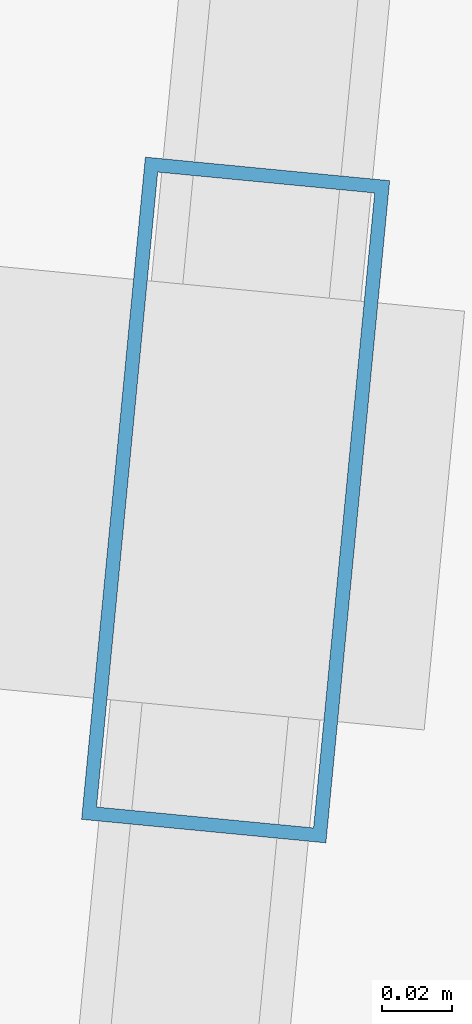
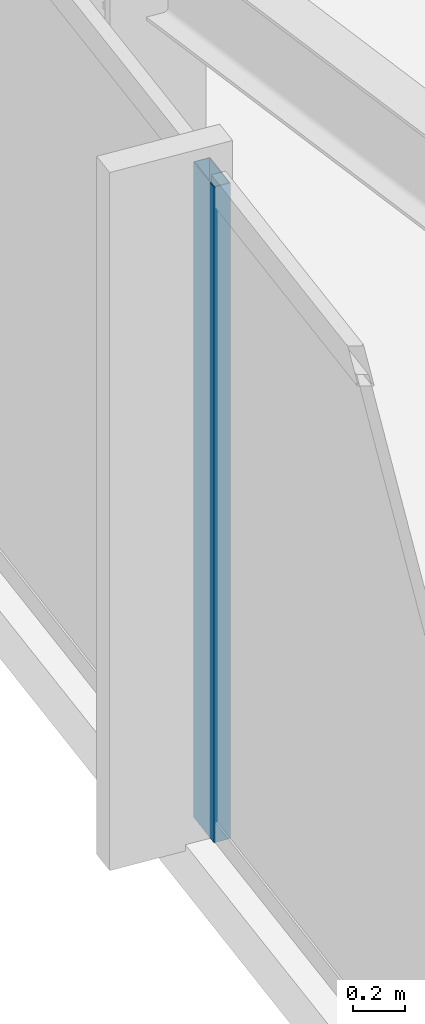
# One storey, part 4 of 37: 1 member, 1 element without a shape of its own.
"""IFC4 building model written with IfcOpenShell, lengths in metres."""

from ifc_helpers import new_model, si_unit, direction, frame, origin, origin_2d, place, context, subcontext, project, spatial, hollow_rectangle, extrude, material, material_profile, profile_set, type_object, element, aggregate, save


model = new_model("IFC4")

# Units and contexts
model_context = context("Model", 3, precision=1e-05, world=origin(), true_north=direction((0.0, 1.0)))
body_context = subcontext(model_context, "Body", "Model", "MODEL_VIEW")
ifc_project = project(units=[si_unit("LENGTHUNIT", "METRE"), si_unit("AREAUNIT", "SQUARE_METRE"), si_unit("VOLUMEUNIT", "CUBIC_METRE"), si_unit("PLANEANGLEUNIT", "RADIAN"), si_unit("MASSUNIT", "GRAM", prefix="KILO")], contexts=[model_context])

# Site, building, storey
site_placement = place(None, origin())
site = spatial("IfcSite", under=ifc_project, at=site_placement, CompositionType="ELEMENT")
building_placement = place(site_placement, origin())
building = spatial("IfcBuilding", under=site, at=building_placement, Name="Yelkora Congress Tower", CompositionType="ELEMENT")
storey_placement = place(building_placement, frame((0.0, 0.0, 182.0)))
storey = spatial("IfcBuildingStorey", under=building, at=storey_placement, Name="L50", CompositionType="ELEMENT", Elevation=182.0)

# Curtain wall, member
ifc_material_1 = material(Name="Anodised aluminium and insulated glass", Category="aluminium")
curtain_wall_type = type_object("IfcCurtainWallType", Name="CW-SYS-B3", PredefinedType="NOTDEFINED", material=ifc_material_1)
curtain_wall_placement = place(storey_placement, origin())
curtain_wall = element("IfcCurtainWall", 1, at=curtain_wall_placement, inside=storey, type_object=curtain_wall_type, Name="L50 Unitised Curtain Wall 5", PredefinedType="NOTDEFINED")
ifc_material_2 = material(Name="Anodised aluminium 6063-T6", Category="aluminium")
ifc_material_profile = material_profile(ifc_material_2, hollow_rectangle(XDim=0.070068359375, YDim=0.18994140625, WallThickness=0.00390625, at=origin_2d()), Name="ALU 70x190x4")
ifc_profile_set = profile_set([ifc_material_profile], Name="Anodised aluminium 6063-T6")
member_type = type_object("IfcMemberType", Name="MEM-ML-B3", PredefinedType="MULLION", material=ifc_profile_set)
member_placement = place(storey_placement, frame((1.9248046875, 22.962158203125, 0.0), z_axis=(0.0, 0.0, 1.0), x_axis=(-0.995396242473, 0.095845294465, 0.0)))
member = element("IfcMember", 2, at=member_placement, type_object=member_type, Name="CW-B3 mullion 2", PredefinedType="MULLION", context=body_context, shape_type="SweptSolid", body=[
    extrude(hollow_rectangle(XDim=0.070068359375, YDim=0.18994140625, WallThickness=0.00390625, at=origin_2d()), origin(), (0.0, 0.0, 1.0), 3.080078125),
])
aggregate(curtain_wall, [member])

save(model, "model.ifc")
